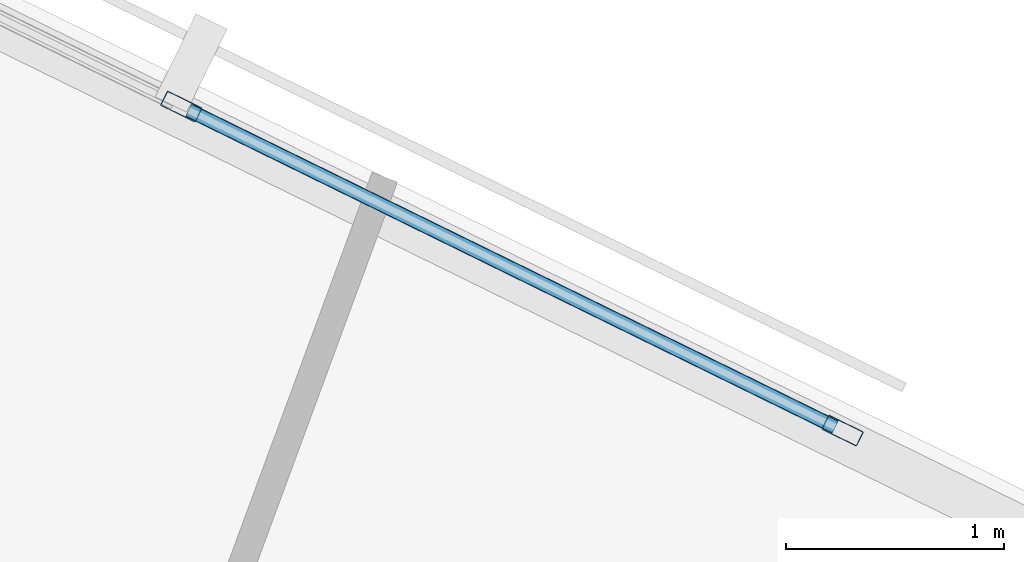
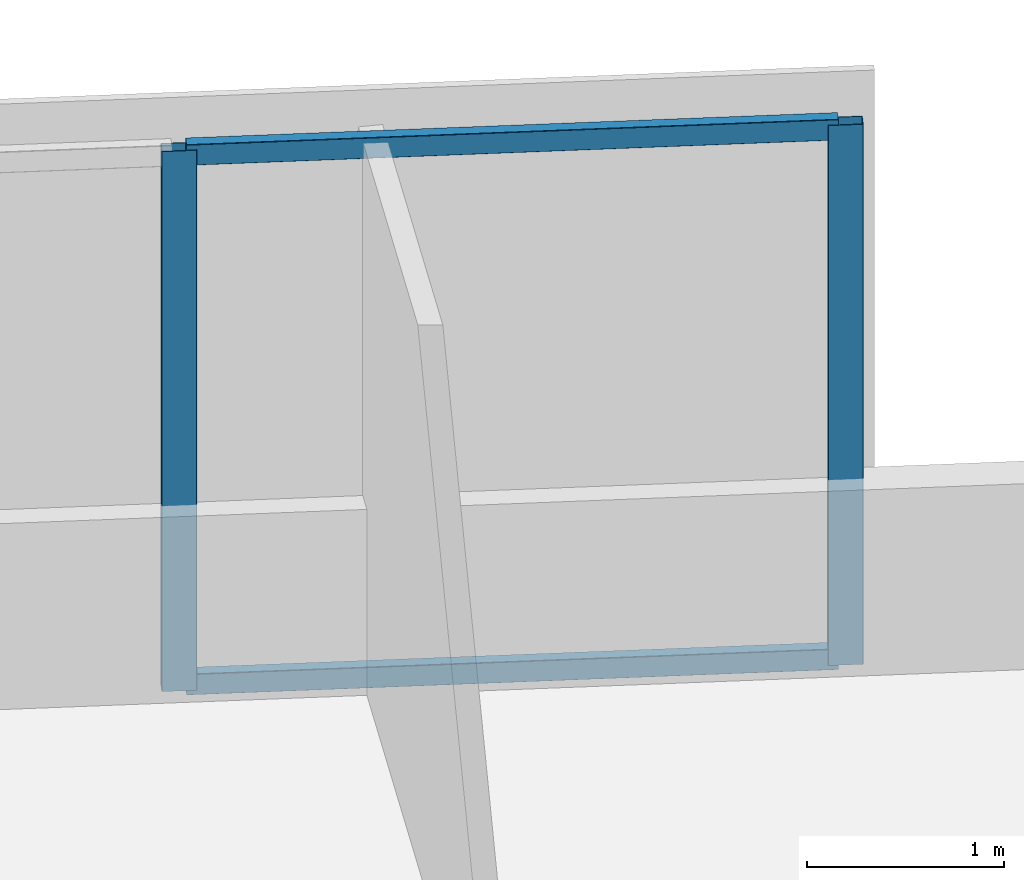
# One storey, part 2 of 18: 4 members, 1 element without a shape of its own.
"""IFC4 building model written with IfcOpenShell, lengths in metres."""

import ifcopenshell
import ifcopenshell.guid

model = None  # the IFC model being written
_history = None  # IfcOwnerHistory: only IFC2X3 demands one
_inside = {}  # id of a spatial element -> (the spatial element, [elements in it])
_under = {}  # id of a project, library or spatial element -> (it, [spatial elements below it])
_declared = {}  # id of a project -> (the project, [libraries it declares])
_typed = {}  # id of a type object -> (the type object, [elements of that type])
_made_of = {}  # id of a material, layer set ... -> (it, [elements and type objects made of it])


def new_model(schema):
    """Start an empty IFC model of exactly this schema.

    Asked for "IFC4X3", IfcOpenShell would pick the latest addendum, in which some entities
    have other attributes; the version numbers below select the first issue.
    IFC2X3 requires an IfcOwnerHistory on every rooted entity: one is made here for all.
    """
    global model, _history
    if schema == "IFC4X3":
        model = ifcopenshell.file(schema_version=(4, 3, 0, 0))
    else:
        model = ifcopenshell.file(schema=schema)
    _inside.clear()
    _under.clear()
    _declared.clear()
    _typed.clear()
    _made_of.clear()
    _history = None
    if model.schema == "IFC2X3":
        org = make("IfcOrganization", Name="unknown")
        user = make(
            "IfcPersonAndOrganization",
            ThePerson=make("IfcPerson", FamilyName="unknown"),
            TheOrganization=org,
        )
        app = make(
            "IfcApplication",
            ApplicationDeveloper=org,
            Version="unknown",
            ApplicationFullName="unknown",
            ApplicationIdentifier="unknown",
        )
        _history = make(
            "IfcOwnerHistory",
            OwningUser=user,
            OwningApplication=app,
            ChangeAction="ADDED",
            CreationDate=0,
        )
    return model


def make(cls, **values):
    """One entity of the class cls with the attributes given. An attribute that is None is left unset."""
    return model.create_entity(
        cls, **{name: value for name, value in values.items() if value is not None}
    )


def rooted(cls, **values):
    """An entity with a GlobalId (a new one), such as an element, a storey or a relation."""
    return make(cls, GlobalId=ifcopenshell.guid.new(), OwnerHistory=_history, **values)


def si_unit(unit_type, name, prefix=None):
    """IfcSIUnit, for example si_unit("LENGTHUNIT", "METRE", prefix="MILLI")."""
    return make("IfcSIUnit", UnitType=unit_type, Prefix=prefix, Name=name)


def assignment(units):
    """IfcUnitAssignment: the units of a project."""
    return None if units is None else make("IfcUnitAssignment", Units=units)


def point(xyz):
    """IfcCartesianPoint."""
    return None if xyz is None else make("IfcCartesianPoint", Coordinates=xyz)


def direction(xyz):
    """IfcDirection."""
    return None if xyz is None else make("IfcDirection", DirectionRatios=xyz)


def frame(location, z_axis=None, x_axis=None):
    """IfcAxis2Placement3D, a coordinate frame: its origin and axes. An axis left out is left unset."""
    return make(
        "IfcAxis2Placement3D",
        Location=point(location),
        Axis=direction(z_axis),
        RefDirection=direction(x_axis),
    )


def frame_2d(location, x_axis=None):
    """IfcAxis2Placement2D, a coordinate frame in the plane: its origin and x axis."""
    return make(
        "IfcAxis2Placement2D", Location=point(location), RefDirection=direction(x_axis)
    )


def origin():
    """The frame at (0, 0, 0) with its axes left unset."""
    return frame((0.0, 0.0, 0.0))


def origin_2d():
    """The frame at (0, 0) in the plane with its x axis left unset."""
    return frame_2d((0.0, 0.0))


def place(relative_to, where):
    """IfcLocalPlacement: puts the frame where relative to a parent placement (None: the world)."""
    return make(
        "IfcLocalPlacement", PlacementRelTo=relative_to, RelativePlacement=where
    )


def context(
    kind, dimensions, precision=None, world=None, true_north=None, identifier=None
):
    """IfcGeometricRepresentationContext, for example the 3D "Model" context."""
    return make(
        "IfcGeometricRepresentationContext",
        ContextIdentifier=identifier,
        ContextType=kind,
        CoordinateSpaceDimension=dimensions,
        Precision=precision,
        WorldCoordinateSystem=world,
        TrueNorth=true_north,
    )


def subcontext(parent, identifier, kind, view, scale=None):
    """IfcGeometricRepresentationSubContext, for example "Body" below "Model"."""
    return make(
        "IfcGeometricRepresentationSubContext",
        ContextIdentifier=identifier,
        ContextType=kind,
        ParentContext=parent,
        TargetScale=scale,
        TargetView=view,
    )


def project(units=None, contexts=None):
    """IfcProject with its units and contexts."""
    return rooted(
        "IfcProject",
        Name="project",
        RepresentationContexts=contexts,
        UnitsInContext=assignment(units),
    )


def spatial(cls, under=None, at=None, **own):
    """A site, building, storey or space (cls), placed at a placement, below another one or the project."""
    s = rooted(cls, ObjectPlacement=at, **own)
    if under is not None:
        _under.setdefault(under.id(), (under, []))[1].append(s)
    return s


def profile(cls, at=None, kind="AREA", **sizes):
    """A parametric profile (cls). Its sizes go by their IFC names, for example OverallWidth=200.0."""
    return make(cls, ProfileType=kind, Position=at, **sizes)


def hollow_rectangle(**sizes):
    """IfcRectangleHollowProfileDef."""
    return profile("IfcRectangleHollowProfileDef", **sizes)


def extrude(swept, where, along, depth):
    """IfcExtrudedAreaSolid: the profile swept, set in the frame where, extruded along a direction by depth."""
    return make(
        "IfcExtrudedAreaSolid",
        SweptArea=swept,
        Position=where,
        ExtrudedDirection=direction(along),
        Depth=depth,
    )


def shape(context_of_items, identifier, shape_type, items):
    """IfcShapeRepresentation: the items that make up one representation, for example the "Body"."""
    return make(
        "IfcShapeRepresentation",
        ContextOfItems=context_of_items,
        RepresentationIdentifier=identifier,
        RepresentationType=shape_type,
        Items=items,
    )


def material(Name=None, Category=None):
    """IfcMaterial."""
    return make("IfcMaterial", Name=Name, Category=Category)


def material_profile(
    of_material, cross_section, Name=None, Category=None, Priority=None
):
    """IfcMaterialProfile: a cross section and its material."""
    return make(
        "IfcMaterialProfile",
        Name=Name,
        Material=of_material,
        Profile=cross_section,
        Priority=Priority,
        Category=Category,
    )


def profile_set(profiles, Name=None, composite=None):
    """IfcMaterialProfileSet."""
    return make(
        "IfcMaterialProfileSet",
        Name=Name,
        MaterialProfiles=profiles,
        CompositeProfile=composite,
    )


def made_of(thing, what):
    """Note that an element or type object is made of a material, layer set ...; save() writes the relation."""
    if what is not None:
        _made_of.setdefault(what.id(), (what, []))[1].append(thing)
    return thing


def type_object(cls, material=None, **own):
    """A type object (cls), such as IfcWallType, which elements share."""
    return made_of(rooted(cls, **own), material)


def element(
    cls,
    number,
    at=None,
    inside=None,
    cuts=None,
    type_object=None,
    material=None,
    context=None,
    identifier="Body",
    shape_type=None,
    held_by="IfcProductDefinitionShape",
    body=None,
    shapes=None,
    **own,
):
    """One element of the class cls, such as IfcWall. Its Tag is "e" and its number.

    at: its placement. inside: the storey or other place that contains it. cuts: it is an
    opening in that element (IfcRelVoidsElement). A single representation is given by context,
    identifier, shape_type and body (its items); several are given by shapes. held_by: the class
    of the entity that holds the representations. save() writes the other relations.
    """
    e = rooted(cls, Tag="e%d" % number, ObjectPlacement=at, **own)
    if body is not None:
        shapes = [shape(context, identifier, shape_type, body)]
    if shapes is not None:
        e.Representation = make(held_by, Representations=shapes)
    if inside is not None:
        _inside.setdefault(inside.id(), (inside, []))[1].append(e)
    if cuts is not None:
        rooted(
            "IfcRelVoidsElement", RelatingBuildingElement=cuts, RelatedOpeningElement=e
        )
    if type_object is not None:
        _typed.setdefault(type_object.id(), (type_object, []))[1].append(e)
    return made_of(e, material)


def aggregate(whole, parts):
    """IfcRelAggregates: a whole, such as a stair, and the parts it consists of."""
    return rooted("IfcRelAggregates", RelatingObject=whole, RelatedObjects=parts)


def save(model, path):
    """Write the relations noted so far, then the file.

    IfcRelAggregates (storeys below a building ...), IfcRelContainedInSpatialStructure (elements
    in a storey), IfcRelDefinesByType, IfcRelAssociatesMaterial and IfcRelDeclares: one each for
    every whole, place, type object, material and project.
    """
    for whole, parts in _under.values():
        aggregate(whole, parts)
    for where, things in _inside.values():
        rooted(
            "IfcRelContainedInSpatialStructure",
            RelatedElements=things,
            RelatingStructure=where,
        )
    for kind, things in _typed.values():
        rooted("IfcRelDefinesByType", RelatedObjects=things, RelatingType=kind)
    for what, things in _made_of.values():
        rooted("IfcRelAssociatesMaterial", RelatedObjects=things, RelatingMaterial=what)
    for by, libraries in _declared.values():
        rooted("IfcRelDeclares", RelatingContext=by, RelatedDefinitions=libraries)
    model.write(path)


model = new_model("IFC4")

# Units and contexts
model_context = context("Model", 3, precision=1e-05, world=origin(), true_north=direction((0.0, 1.0)))
body_context = subcontext(model_context, "Body", "Model", "MODEL_VIEW")
ifc_project = project(units=[si_unit("LENGTHUNIT", "METRE"), si_unit("AREAUNIT", "SQUARE_METRE"), si_unit("VOLUMEUNIT", "CUBIC_METRE"), si_unit("PLANEANGLEUNIT", "RADIAN"), si_unit("MASSUNIT", "GRAM", prefix="KILO")], contexts=[model_context])

# Site, building, storey
site_placement = place(None, origin())
site = spatial("IfcSite", under=ifc_project, at=site_placement, CompositionType="ELEMENT")
building_placement = place(site_placement, origin())
building = spatial("IfcBuilding", under=site, at=building_placement, Name="Narakoshi Arena Tower", CompositionType="ELEMENT")
storey_placement = place(building_placement, frame((0.0, 0.0, 99.300048828125)))
storey = spatial("IfcBuildingStorey", under=building, at=storey_placement, Name="L26", CompositionType="ELEMENT", Elevation=99.300048828125)

# Curtain wall, members
ifc_material = material(Name="Anodised bronze aluminium 6063-T6", Category="aluminium")
curtain_wall_type = type_object("IfcCurtainWallType", Name="CW-HYP-LOW", PredefinedType="NOTDEFINED", material=ifc_material)
curtain_wall_placement = place(storey_placement, origin())
curtain_wall = element("IfcCurtainWall", 1, at=curtain_wall_placement, inside=storey, type_object=curtain_wall_type, Name="L26 Folded Hypotenuse Curtain Wall 2-1", PredefinedType="NOTDEFINED")
ifc_material_profile_1 = material_profile(ifc_material, hollow_rectangle(XDim=0.074951171875, YDim=0.179931640625, WallThickness=0.00390625, OuterFilletRadius=0.0048828125, at=origin_2d()), Name="MUL180x75x4")
ifc_profile_set_1 = profile_set([ifc_material_profile_1], Name="Anodised bronze aluminium 6063-T6")
member_type_1 = type_object("IfcMemberType", Name="MEM-MUL-180", PredefinedType="MULLION", material=ifc_profile_set_1)
member_1_placement = place(storey_placement, frame((87.598876953125, 62.51513671875, 0.0), z_axis=(0.0, 0.0, 1.0), x_axis=(-0.440004510198, -0.89799556291, 0.0)))
member_1 = element("IfcMember", 2, at=member_1_placement, type_object=member_type_1, Name="CW-01 mullion 1", PredefinedType="MULLION", context=body_context, shape_type="SweptSolid", body=[
    extrude(hollow_rectangle(XDim=0.074951171875, YDim=0.179931640625, WallThickness=0.00390625, OuterFilletRadius=0.0048828125, at=origin_2d()), origin(), (0.0, 0.0, 1.0), 3.33984375),
])
member_2_placement = place(storey_placement, frame((84.559326171875, 64.00439453125, 0.0), z_axis=(0.0, 0.0, 1.0), x_axis=(-0.440004510198, -0.89799556291, 0.0)))
member_2 = element("IfcMember", 3, at=member_2_placement, type_object=member_type_1, Name="CW-01 mullion 2", PredefinedType="MULLION", context=body_context, shape_type="SweptSolid", body=[
    extrude(hollow_rectangle(XDim=0.074951171875, YDim=0.179931640625, WallThickness=0.00390625, OuterFilletRadius=0.0048828125, at=origin_2d()), origin(), (0.0, 0.0, 1.0), 3.33984375),
])
ifc_material_profile_2 = material_profile(ifc_material, hollow_rectangle(XDim=0.06494140625, YDim=0.1298828125, WallThickness=0.00390625, OuterFilletRadius=0.0048828125, at=origin_2d()), Name="TRN130x65x4")
ifc_profile_set_2 = profile_set([ifc_material_profile_2], Name="Anodised bronze aluminium 6063-T6")
member_type_2 = type_object("IfcMemberType", Name="MEM-TRN-130", PredefinedType="USERDEFINED", material=ifc_profile_set_2)
member_3_placement = place(storey_placement, frame((87.565185546875, 62.531494140625, 0.032470703125), z_axis=(-0.897968733038, 0.44005926247, 0.0), x_axis=(-0.44005926247, -0.897968733038, 0.0)))
member_3 = element("IfcMember", 4, at=member_3_placement, type_object=member_type_2, Name="CW-01 transom 1.1", ObjectType="TRANSOM", PredefinedType="USERDEFINED", context=body_context, shape_type="SweptSolid", body=[
    extrude(hollow_rectangle(XDim=0.06494140625, YDim=0.1298828125, WallThickness=0.00390625, OuterFilletRadius=0.0048828125, at=origin_2d()), origin(), (0.0, 0.0, 1.0), 3.309814453125),
])
member_4_placement = place(storey_placement, frame((87.565185546875, 62.531494140625, 3.307373046875), z_axis=(-0.897968733038, 0.44005926247, 0.0), x_axis=(-0.44005926247, -0.897968733038, 0.0)))
member_4 = element("IfcMember", 5, at=member_4_placement, type_object=member_type_2, Name="CW-01 transom 1.2", ObjectType="TRANSOM", PredefinedType="USERDEFINED", context=body_context, shape_type="SweptSolid", body=[
    extrude(hollow_rectangle(XDim=0.06494140625, YDim=0.1298828125, WallThickness=0.00390625, OuterFilletRadius=0.0048828125, at=origin_2d()), origin(), (0.0, 0.0, 1.0), 3.309814453125),
])
aggregate(curtain_wall, [member_1, member_2, member_3, member_4])

save(model, "model.ifc")
